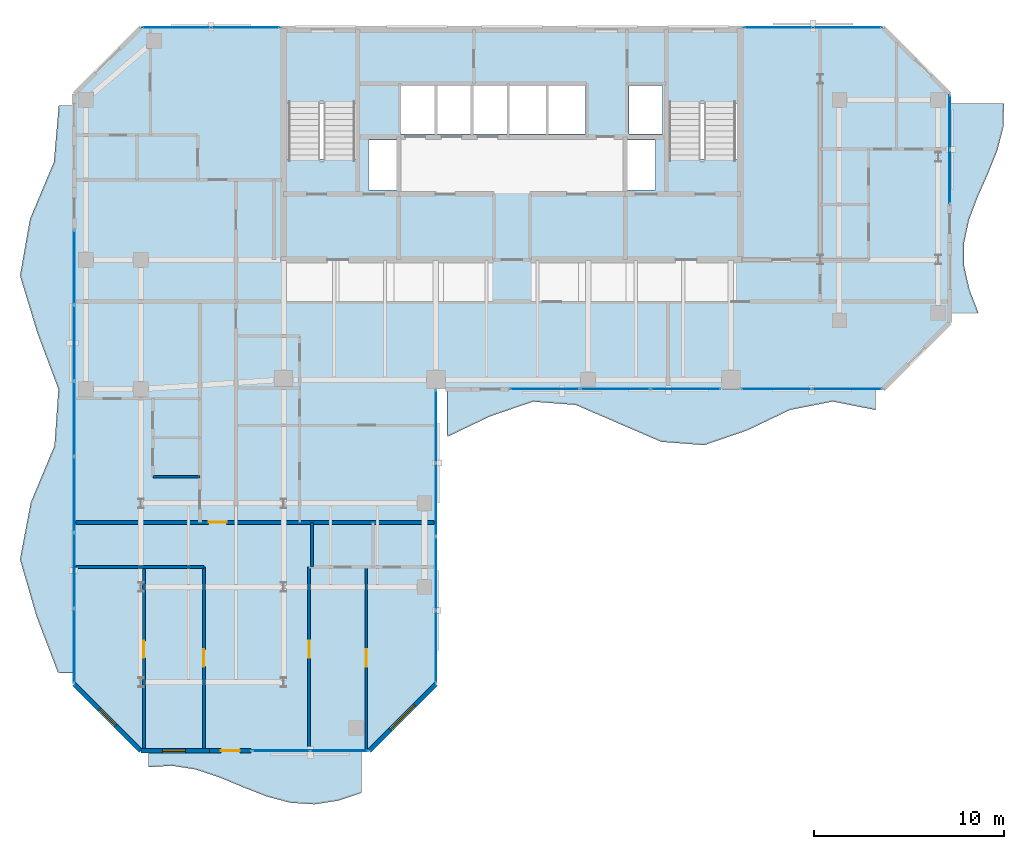
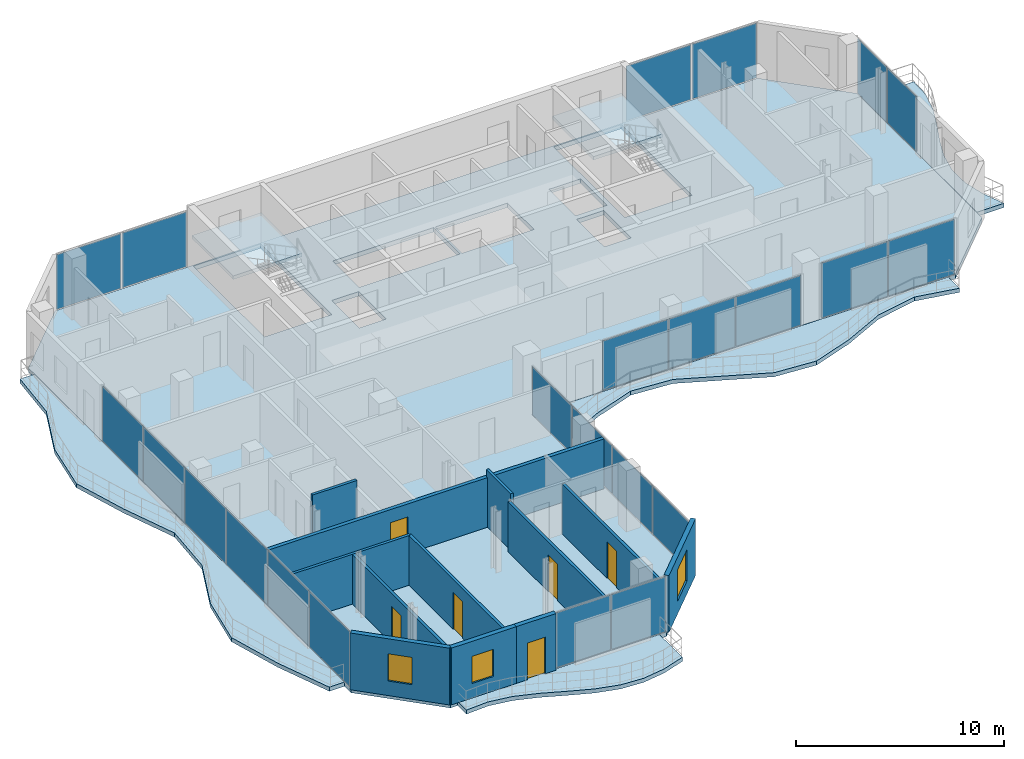
# One storey, part 17 of 23: 23 plates, 12 walls, 7 slabs, 6 doors, 3 windows, 9 openings, 10 elements without a shape of their own.
"""IFC4 building model written with IfcOpenShell, lengths in metres."""

from ifc_helpers import new_model, si_unit, direction, frame, frame_2d, origin, origin_2d, place, context, subcontext, project, spatial, polyline, rectangle, outline, extrude, material, layer, layer_set, type_object, element, fill, aggregate, save


model = new_model("IFC4")

# Units and contexts
model_context = context("Model", 3, precision=1e-05, world=origin(), true_north=direction((0.0, 1.0)))
body_context = subcontext(model_context, "Body", "Model", "MODEL_VIEW")
ifc_project = project(units=[si_unit("LENGTHUNIT", "METRE"), si_unit("AREAUNIT", "SQUARE_METRE"), si_unit("VOLUMEUNIT", "CUBIC_METRE"), si_unit("PLANEANGLEUNIT", "RADIAN"), si_unit("MASSUNIT", "GRAM", prefix="KILO")], contexts=[model_context])

# Site, building, storey
site_placement = place(None, origin())
site = spatial("IfcSite", under=ifc_project, at=site_placement, CompositionType="ELEMENT")
building_placement = place(site_placement, origin())
building = spatial("IfcBuilding", under=site, at=building_placement, Name="Catumbela Crestline Tower", CompositionType="ELEMENT")
storey_placement = place(building_placement, frame((0.0, 0.0, 168.6)))
storey = spatial("IfcBuildingStorey", under=building, at=storey_placement, Name="L43", CompositionType="ELEMENT", Elevation=168.6)

# Curtain wall, plates
ifc_material_1 = material(Name="Aluminium alloy AW-6060-T66", Category="aluminium")
ifc_layer_1 = layer(ifc_material_1, 0.18, Name="Aluminium alloy AW-6060-T66")
ifc_layer_set_1 = layer_set([ifc_layer_1], Name="Aluminium alloy AW-6060-T66")
curtain_wall_type = type_object("IfcCurtainWallType", Name="CWU-Z3", PredefinedType="USERDEFINED", material=ifc_layer_set_1)
curtain_wall_1_placement = place(storey_placement, origin())
curtain_wall_1 = element("IfcCurtainWall", 1, at=curtain_wall_1_placement, inside=storey, type_object=curtain_wall_type, Name="L43 Unitised Curtain Wall CW-L43-E0S2", ObjectType="UNITISED", PredefinedType="USERDEFINED")
ifc_material_2 = material(Name="Low-E laminated solar-control double glazing", Category="glass")
ifc_layer_2 = layer(ifc_material_2, 0.036, Name="Low-E laminated solar-control double glazing")
ifc_layer_set_2 = layer_set([ifc_layer_2], Name="Low-E laminated solar-control double glazing")
plate_type = type_object("IfcPlateType", Name="PNL-GLZ-Z3", PredefinedType="CURTAIN_PANEL", material=ifc_layer_set_2)
plate_1_placement = place(storey_placement, frame((15.8662, 5.0, 0.06), z_axis=(0.0, 0.0, 1.0), x_axis=(1.0, 0.0, 0.0)))
plate_1 = element("IfcPlate", 2, at=plate_1_placement, type_object=plate_type, Name="CWU-Z3 panel 1.1", PredefinedType="CURTAIN_PANEL", context=body_context, shape_type="SweptSolid", body=[
    extrude(rectangle(XDim=3.0025, YDim=0.034, at=origin_2d()), origin(), (0.0, 0.0, 1.0), 3.21),
])
plate_2_placement = place(storey_placement, frame((18.9338, 5.0, 0.06), z_axis=(0.0, 0.0, 1.0), x_axis=(1.0, 0.0, 0.0)))
plate_2 = element("IfcPlate", 3, at=plate_2_placement, type_object=plate_type, Name="CWU-Z3 panel 2.1", PredefinedType="CURTAIN_PANEL", context=body_context, shape_type="SweptSolid", body=[
    extrude(rectangle(XDim=3.0025, YDim=0.034, at=origin_2d()), origin(), (0.0, 0.0, 1.0), 3.21),
])
aggregate(curtain_wall_1, [plate_1, plate_2])

curtain_wall_2_placement = place(storey_placement, origin())
curtain_wall_2 = element("IfcCurtainWall", 4, at=curtain_wall_2_placement, inside=storey, type_object=curtain_wall_type, Name="L43 Unitised Curtain Wall CW-L43-E2S1", ObjectType="UNITISED", PredefinedType="USERDEFINED")
plate_3_placement = place(storey_placement, frame((24.0, 10.4538, 0.06), z_axis=(0.0, 0.0, 1.0), x_axis=(0.0, 1.0, 0.0)))
plate_3 = element("IfcPlate", 5, at=plate_3_placement, type_object=plate_type, Name="CWU-Z3 panel 1.1", PredefinedType="CURTAIN_PANEL", context=body_context, shape_type="SweptSolid", body=[
    extrude(rectangle(XDim=3.7775, YDim=0.034, at=origin_2d()), origin(), (0.0, 0.0, 1.0), 2.8),
])
plate_4_placement = place(storey_placement, frame((24.0, 14.3125, 0.06), z_axis=(0.0, 0.0, 1.0), x_axis=(0.0, 1.0, 0.0)))
plate_4 = element("IfcPlate", 6, at=plate_4_placement, type_object=plate_type, Name="CWU-Z3 panel 2.1", PredefinedType="CURTAIN_PANEL", context=body_context, shape_type="SweptSolid", body=[
    extrude(rectangle(XDim=3.81, YDim=0.034, at=origin_2d()), origin(), (0.0, 0.0, 1.0), 2.8),
])
plate_5_placement = place(storey_placement, frame((24.0, 18.1875, 0.06), z_axis=(0.0, 0.0, 1.0), x_axis=(0.0, 1.0, 0.0)))
plate_5 = element("IfcPlate", 7, at=plate_5_placement, type_object=plate_type, Name="CWU-Z3 panel 3.1", PredefinedType="CURTAIN_PANEL", context=body_context, shape_type="SweptSolid", body=[
    extrude(rectangle(XDim=3.81, YDim=0.034, at=origin_2d()), origin(), (0.0, 0.0, 1.0), 2.8),
])
plate_6_placement = place(storey_placement, frame((24.0, 22.0462, 0.06), z_axis=(0.0, 0.0, 1.0), x_axis=(0.0, 1.0, 0.0)))
plate_6 = element("IfcPlate", 8, at=plate_6_placement, type_object=plate_type, Name="CWU-Z3 panel 4.1", PredefinedType="CURTAIN_PANEL", context=body_context, shape_type="SweptSolid", body=[
    extrude(rectangle(XDim=3.7775, YDim=0.034, at=origin_2d()), origin(), (0.0, 0.0, 1.0), 2.8),
])
aggregate(curtain_wall_2, [plate_3, plate_4, plate_5, plate_6])

curtain_wall_3_placement = place(storey_placement, origin())
curtain_wall_3 = element("IfcCurtainWall", 9, at=curtain_wall_3_placement, inside=storey, type_object=curtain_wall_type, Name="L43 Unitised Curtain Wall CW-L43-E3S2", ObjectType="UNITISED", PredefinedType="USERDEFINED")
plate_7_placement = place(storey_placement, frame((29.7246, 24.0, 0.06), z_axis=(0.0, 0.0, 1.0), x_axis=(1.0, 0.0, 0.0)))
plate_7 = element("IfcPlate", 10, at=plate_7_placement, type_object=plate_type, Name="CWU-Z3 panel 1.1", PredefinedType="CURTAIN_PANEL", context=body_context, shape_type="SweptSolid", body=[
    extrude(rectangle(XDim=3.6192, YDim=0.034, at=origin_2d()), origin(), (0.0, 0.0, 1.0), 2.9),
])
plate_8_placement = place(storey_placement, frame((33.425, 24.0, 0.06), z_axis=(0.0, 0.0, 1.0), x_axis=(1.0, 0.0, 0.0)))
plate_8 = element("IfcPlate", 11, at=plate_8_placement, type_object=plate_type, Name="CWU-Z3 panel 2.1", PredefinedType="CURTAIN_PANEL", context=body_context, shape_type="SweptSolid", body=[
    extrude(rectangle(XDim=3.6517, YDim=0.034, at=origin_2d()), origin(), (0.0, 0.0, 1.0), 2.9),
])
plate_9_placement = place(storey_placement, frame((37.1254, 24.0, 0.06), z_axis=(0.0, 0.0, 1.0), x_axis=(1.0, 0.0, 0.0)))
plate_9 = element("IfcPlate", 12, at=plate_9_placement, type_object=plate_type, Name="CWU-Z3 panel 3.1", PredefinedType="CURTAIN_PANEL", context=body_context, shape_type="SweptSolid", body=[
    extrude(rectangle(XDim=3.6192, YDim=0.034, at=origin_2d()), origin(), (0.0, 0.0, 1.0), 2.9),
])
aggregate(curtain_wall_3, [plate_7, plate_8, plate_9])

curtain_wall_4_placement = place(storey_placement, origin())
curtain_wall_4 = element("IfcCurtainWall", 13, at=curtain_wall_4_placement, inside=storey, type_object=curtain_wall_type, Name="L43 Unitised Curtain Wall CW-L43-E3S3", ObjectType="UNITISED", PredefinedType="USERDEFINED")
plate_10_placement = place(storey_placement, frame((41.8912, 24.0, 0.06), z_axis=(0.0, 0.0, 1.0), x_axis=(1.0, 0.0, 0.0)))
plate_10 = element("IfcPlate", 14, at=plate_10_placement, type_object=plate_type, Name="CWU-Z3 panel 1.1", PredefinedType="CURTAIN_PANEL", context=body_context, shape_type="SweptSolid", body=[
    extrude(rectangle(XDim=3.6525, YDim=0.034, at=origin_2d()), origin(), (0.0, 0.0, 1.0), 3.21),
])
plate_11_placement = place(storey_placement, frame((45.6088, 24.0, 0.06), z_axis=(0.0, 0.0, 1.0), x_axis=(1.0, 0.0, 0.0)))
plate_11 = element("IfcPlate", 15, at=plate_11_placement, type_object=plate_type, Name="CWU-Z3 panel 2.1", PredefinedType="CURTAIN_PANEL", context=body_context, shape_type="SweptSolid", body=[
    extrude(rectangle(XDim=3.6525, YDim=0.034, at=origin_2d()), origin(), (0.0, 0.0, 1.0), 3.21),
])
aggregate(curtain_wall_4, [plate_10, plate_11])

curtain_wall_5_placement = place(storey_placement, origin())
curtain_wall_5 = element("IfcCurtainWall", 16, at=curtain_wall_5_placement, inside=storey, type_object=curtain_wall_type, Name="L43 Unitised Curtain Wall CW-L43-E5S2", ObjectType="UNITISED", PredefinedType="USERDEFINED")
plate_12_placement = place(storey_placement, frame((51.0, 35.1662, 0.06), z_axis=(0.0, 0.0, 1.0), x_axis=(0.0, 1.0, 0.0)))
plate_12 = element("IfcPlate", 17, at=plate_12_placement, type_object=plate_type, Name="CWU-Z3 panel 1.1", PredefinedType="CURTAIN_PANEL", context=body_context, shape_type="SweptSolid", body=[
    extrude(rectangle(XDim=2.8025, YDim=0.034, at=origin_2d()), origin(), (0.0, 0.0, 1.0), 3.21),
])
plate_13_placement = place(storey_placement, frame((51.0, 38.0338, 0.06), z_axis=(0.0, 0.0, 1.0), x_axis=(0.0, 1.0, 0.0)))
plate_13 = element("IfcPlate", 18, at=plate_13_placement, type_object=plate_type, Name="CWU-Z3 panel 2.1", PredefinedType="CURTAIN_PANEL", context=body_context, shape_type="SweptSolid", body=[
    extrude(rectangle(XDim=2.8025, YDim=0.034, at=origin_2d()), origin(), (0.0, 0.0, 1.0), 3.21),
])
aggregate(curtain_wall_5, [plate_12, plate_13])

curtain_wall_6_placement = place(storey_placement, origin())
curtain_wall_6 = element("IfcCurtainWall", 19, at=curtain_wall_6_placement, inside=storey, type_object=curtain_wall_type, Name="L43 Unitised Curtain Wall CW-L43-E7S1", ObjectType="UNITISED", PredefinedType="USERDEFINED")
plate_14_placement = place(storey_placement, frame((45.6438, 43.0, 0.06), z_axis=(0.0, 0.0, 1.0), x_axis=(-1.0, 0.0, 0.0)))
plate_14 = element("IfcPlate", 20, at=plate_14_placement, type_object=plate_type, Name="CWU-Z3 panel 1.1", PredefinedType="CURTAIN_PANEL", context=body_context, shape_type="SweptSolid", body=[
    extrude(rectangle(XDim=3.5825, YDim=0.034, at=origin_2d()), origin(), (0.0, 0.0, 1.0), 3.21),
])
plate_15_placement = place(storey_placement, frame((41.9963, 43.0, 0.06), z_axis=(0.0, 0.0, 1.0), x_axis=(-1.0, 0.0, 0.0)))
plate_15 = element("IfcPlate", 21, at=plate_15_placement, type_object=plate_type, Name="CWU-Z3 panel 2.1", PredefinedType="CURTAIN_PANEL", context=body_context, shape_type="SweptSolid", body=[
    extrude(rectangle(XDim=3.5825, YDim=0.034, at=origin_2d()), origin(), (0.0, 0.0, 1.0), 3.21),
])
aggregate(curtain_wall_6, [plate_14, plate_15])

curtain_wall_7_placement = place(storey_placement, origin())
curtain_wall_7 = element("IfcCurtainWall", 22, at=curtain_wall_7_placement, inside=storey, type_object=curtain_wall_type, Name="L43 Unitised Curtain Wall CW-L43-E7S2", ObjectType="UNITISED", PredefinedType="USERDEFINED")
plate_16_placement = place(storey_placement, frame((14.0038, 43.0, 0.06), z_axis=(0.0, 0.0, 1.0), x_axis=(-1.0, 0.0, 0.0)))
plate_16 = element("IfcPlate", 23, at=plate_16_placement, type_object=plate_type, Name="CWU-Z3 panel 1.1", PredefinedType="CURTAIN_PANEL", context=body_context, shape_type="SweptSolid", body=[
    extrude(rectangle(XDim=3.5825, YDim=0.034, at=origin_2d()), origin(), (0.0, 0.0, 1.0), 3.21),
])
plate_17_placement = place(storey_placement, frame((10.3562, 43.0, 0.06), z_axis=(0.0, 0.0, 1.0), x_axis=(-1.0, 0.0, 0.0)))
plate_17 = element("IfcPlate", 24, at=plate_17_placement, type_object=plate_type, Name="CWU-Z3 panel 2.1", PredefinedType="CURTAIN_PANEL", context=body_context, shape_type="SweptSolid", body=[
    extrude(rectangle(XDim=3.5825, YDim=0.034, at=origin_2d()), origin(), (0.0, 0.0, 1.0), 3.21),
])
aggregate(curtain_wall_7, [plate_16, plate_17])

curtain_wall_8_placement = place(storey_placement, origin())
curtain_wall_8 = element("IfcCurtainWall", 25, at=curtain_wall_8_placement, inside=storey, type_object=curtain_wall_type, Name="L43 Unitised Curtain Wall CW-L43-E9S2", ObjectType="UNITISED", PredefinedType="USERDEFINED")
plate_18_placement = place(storey_placement, frame((5.0, 30.3921, 0.06), z_axis=(0.0, 0.0, 1.0), x_axis=(0.0, -1.0, 0.0)))
plate_18 = element("IfcPlate", 26, at=plate_18_placement, type_object=plate_type, Name="CWU-Z3 panel 1.1", PredefinedType="CURTAIN_PANEL", context=body_context, shape_type="SweptSolid", body=[
    extrude(rectangle(XDim=3.8858, YDim=0.034, at=origin_2d()), origin(), (0.0, 0.0, 1.0), 3.21),
])
plate_19_placement = place(storey_placement, frame((5.0, 26.425, 0.06), z_axis=(0.0, 0.0, 1.0), x_axis=(0.0, -1.0, 0.0)))
plate_19 = element("IfcPlate", 27, at=plate_19_placement, type_object=plate_type, Name="CWU-Z3 panel 2.1", PredefinedType="CURTAIN_PANEL", context=body_context, shape_type="SweptSolid", body=[
    extrude(rectangle(XDim=3.9183, YDim=0.034, at=origin_2d()), origin(), (0.0, 0.0, 1.0), 3.21),
])
plate_20_placement = place(storey_placement, frame((5.0, 22.4417, 0.06), z_axis=(0.0, 0.0, 1.0), x_axis=(0.0, -1.0, 0.0)))
plate_20 = element("IfcPlate", 28, at=plate_20_placement, type_object=plate_type, Name="CWU-Z3 panel 3.1", PredefinedType="CURTAIN_PANEL", context=body_context, shape_type="SweptSolid", body=[
    extrude(rectangle(XDim=3.9183, YDim=0.034, at=origin_2d()), origin(), (0.0, 0.0, 1.0), 3.21),
])
plate_21_placement = place(storey_placement, frame((5.0, 18.4583, 0.06), z_axis=(0.0, 0.0, 1.0), x_axis=(0.0, -1.0, 0.0)))
plate_21 = element("IfcPlate", 29, at=plate_21_placement, type_object=plate_type, Name="CWU-Z3 panel 4.1", PredefinedType="CURTAIN_PANEL", context=body_context, shape_type="SweptSolid", body=[
    extrude(rectangle(XDim=3.9183, YDim=0.034, at=origin_2d()), origin(), (0.0, 0.0, 1.0), 3.21),
])
plate_22_placement = place(storey_placement, frame((5.0, 14.475, 0.06), z_axis=(0.0, 0.0, 1.0), x_axis=(0.0, -1.0, 0.0)))
plate_22 = element("IfcPlate", 30, at=plate_22_placement, type_object=plate_type, Name="CWU-Z3 panel 5.1", PredefinedType="CURTAIN_PANEL", context=body_context, shape_type="SweptSolid", body=[
    extrude(rectangle(XDim=3.9183, YDim=0.034, at=origin_2d()), origin(), (0.0, 0.0, 1.0), 3.21),
])
plate_23_placement = place(storey_placement, frame((5.0, 10.5079, 0.06), z_axis=(0.0, 0.0, 1.0), x_axis=(0.0, -1.0, 0.0)))
plate_23 = element("IfcPlate", 31, at=plate_23_placement, type_object=plate_type, Name="CWU-Z3 panel 6.1", PredefinedType="CURTAIN_PANEL", context=body_context, shape_type="SweptSolid", body=[
    extrude(rectangle(XDim=3.8858, YDim=0.034, at=origin_2d()), origin(), (0.0, 0.0, 1.0), 3.21),
])
aggregate(curtain_wall_8, [plate_18, plate_19, plate_20, plate_21, plate_22, plate_23])

# Stair, slab
ifc_material_3 = material(Name="Concrete C45/55", Category="concrete")
stair_type = type_object("IfcStairType", Name="ST-DLG", PredefinedType="HALF_TURN_STAIR", material=ifc_material_3)
stair_1_placement = place(storey_placement, origin())
stair_1 = element("IfcStair", 32, at=stair_1_placement, inside=storey, type_object=stair_type, Name="L43 West Core Pressurised Exit Stair ST-01", PredefinedType="HALF_TURN_STAIR")
ifc_layer_3 = layer(ifc_material_3, 0.2, Name="Concrete C45/55")
ifc_layer_set_3 = layer_set([ifc_layer_3], Name="Concrete C45/55")
slab_type_1 = type_object("IfcSlabType", Name="SL-LND", PredefinedType="LANDING", material=ifc_layer_set_3)
slab_1_placement = place(storey_placement, frame((0.0, 0.0, 1.6)))
slab_1 = element("IfcSlab", 33, at=slab_1_placement, type_object=slab_type_1, Name="ST-01 landing 1", PredefinedType="LANDING", context=body_context, shape_type="SweptSolid", body=[
    extrude(outline(polyline([(19.91, 39.02), (19.91, 42.96), (16.09, 42.96), (16.09, 39.02), (19.91, 39.02)])), origin(), (0.0, 0.0, 1.0), 0.2),
])
aggregate(stair_1, [slab_1])

stair_2_placement = place(storey_placement, origin())
stair_2 = element("IfcStair", 34, at=stair_2_placement, inside=storey, type_object=stair_type, Name="L43 East Core Pressurised Exit Stair ST-02", PredefinedType="HALF_TURN_STAIR")
slab_2_placement = place(storey_placement, frame((0.0, 0.0, 1.6)))
slab_2 = element("IfcSlab", 35, at=slab_2_placement, type_object=slab_type_1, Name="ST-02 landing 1", PredefinedType="LANDING", context=body_context, shape_type="SweptSolid", body=[
    extrude(outline(polyline([(39.91, 39.02), (39.91, 42.96), (36.09, 42.96), (36.09, 39.02), (39.91, 39.02)])), origin(), (0.0, 0.0, 1.0), 0.2),
])
aggregate(stair_2, [slab_2])

# Slabs
ifc_layer_4 = layer(ifc_material_3, 0.26, Name="Concrete C45/55")
ifc_layer_set_4 = layer_set([ifc_layer_4], Name="Concrete C45/55")
slab_type_2 = type_object("IfcSlabType", Name="SL-260", PredefinedType="FLOOR", material=ifc_layer_set_4)
slab_3_placement = place(storey_placement, frame((0.0, 0.0, -0.26)))
element("IfcSlab", 36, at=slab_3_placement, inside=storey, type_object=slab_type_2, Name="L43 Structural Floor Slab", PredefinedType="FLOOR", context=body_context, shape_type="SweptSolid", body=[
    extrude(outline(polyline([(8.5, 5.0), (20.5, 5.0), (24.0, 8.5), (24.0, 24.0), (47.5, 24.0), (51.0, 27.5), (51.0, 39.5), (47.5, 43.0), (8.5, 43.0), (5.0, 39.5), (5.0, 8.5), (8.5, 5.0)]), holes=[polyline([(16.13, 36.08), (19.87, 36.08), (19.87, 42.92), (16.13, 42.92), (16.13, 36.08)]), polyline([(36.13, 36.08), (39.87, 36.08), (39.87, 42.92), (36.13, 42.92), (36.13, 36.08)]), polyline([(22.15, 37.4), (27.75, 37.4), (27.75, 39.95), (22.15, 39.95), (22.15, 37.4)]), polyline([(27.85, 37.4), (31.85, 37.4), (31.85, 39.95), (27.85, 39.95), (27.85, 37.4)]), polyline([(20.45, 34.45), (21.95, 34.45), (21.95, 37.1), (20.45, 37.1), (20.45, 34.45)]), polyline([(34.05, 34.45), (35.55, 34.45), (35.55, 37.1), (34.05, 37.1), (34.05, 34.45)]), polyline([(34.15, 37.4), (35.9, 37.4), (35.9, 39.95), (34.15, 39.95), (34.15, 37.4)])]), origin(), (0.0, 0.0, 1.0), 0.26),
])
ifc_layer_5 = layer(ifc_material_3, 0.24, Name="Concrete C45/55")
ifc_layer_set_5 = layer_set([ifc_layer_5], Name="Concrete C45/55")
slab_type_3 = type_object("IfcSlabType", Name="SB-240W", PredefinedType="USERDEFINED", material=ifc_layer_set_5)
slab_4_placement = place(storey_placement, frame((0.0, 0.0, -0.24)))
element("IfcSlab", 37, at=slab_4_placement, inside=storey, type_object=slab_type_3, Name="L43 Cantilevered Wave Balcony Slab SPINE-S", ObjectType="BALCONY", PredefinedType="USERDEFINED", context=body_context, shape_type="SweptSolid", body=[
    extrude(outline(polyline([(24.6, 21.4947), (26.85, 22.5708), (29.1, 23.3413), (31.35, 23.1708), (33.6, 22.2), (35.85, 21.2292), (38.1, 21.0587), (40.35, 21.8292), (42.6, 22.9053), (44.85, 23.35), (47.1, 22.9053), (47.1, 23.99), (24.6, 23.99), (24.6, 21.4947)])), origin(), (0.0, 0.0, 1.0), 0.24),
])
slab_5_placement = place(storey_placement, frame((0.0, 0.0, -0.24)))
element("IfcSlab", 38, at=slab_5_placement, inside=storey, type_object=slab_type_3, Name="L43 Cantilevered Wave Balcony Slab SPINE-E", ObjectType="BALCONY", PredefinedType="USERDEFINED", context=body_context, shape_type="SweptSolid", body=[
    extrude(outline(polyline([(51.01, 28.0), (52.5102, 28.0), (52.0377, 29.2222), (51.7606, 30.4444), (51.7501, 31.6667), (52.0088, 32.8889), (52.4704, 34.1111), (53.0165, 35.3333), (53.5071, 36.5556), (53.8164, 37.7778), (53.85, 39.0), (51.01, 39.0), (51.01, 28.0)])), origin(), (0.0, 0.0, 1.0), 0.24),
])
slab_6_placement = place(storey_placement, frame((0.0, 0.0, -0.24)))
element("IfcSlab", 39, at=slab_6_placement, inside=storey, type_object=slab_type_3, Name="L43 Cantilevered Wave Balcony Slab WING-S", ObjectType="BALCONY", PredefinedType="USERDEFINED", context=body_context, shape_type="SweptSolid", body=[
    extrude(outline(polyline([(8.9, 4.1398), (10.1444, 4.2124), (11.3889, 4.016), (12.6333, 3.6029), (13.8778, 3.0828), (15.1222, 2.5938), (16.3667, 2.2658), (17.6111, 2.186), (18.8556, 2.3755), (20.1, 2.784), (20.1, 4.99), (8.9, 4.99), (8.9, 4.1398)])), origin(), (0.0, 0.0, 1.0), 0.24),
])
slab_7_placement = place(storey_placement, frame((0.0, 0.0, -0.24)))
element("IfcSlab", 40, at=slab_7_placement, inside=storey, type_object=slab_type_3, Name="L43 Cantilevered Wave Balcony Slab WEST", ObjectType="BALCONY", PredefinedType="USERDEFINED", context=body_context, shape_type="SweptSolid", body=[
    extrude(outline(polyline([(4.99, 38.9), (4.1874, 38.9), (3.9279, 35.92), (2.6741, 32.94), (2.15, 29.96), (3.0531, 26.98), (4.1682, 24.0), (3.9607, 21.02), (2.714, 18.04), (2.15, 15.06), (3.0084, 12.08), (4.1473, 9.1), (4.99, 9.1), (4.99, 38.9)])), origin(), (0.0, 0.0, 1.0), 0.24),
])

# Wall, opening, door
ifc_material_4 = material(Name="Angolan grey-ochre granite", Category="masonry")
ifc_layer_6 = layer(ifc_material_4, 0.25, Name="Angolan grey-ochre granite")
ifc_layer_set_6 = layer_set([ifc_layer_6], Name="Angolan grey-ochre granite")
wall_type_1 = type_object("IfcWallType", Name="WE-250", PredefinedType="STANDARD", material=ifc_layer_set_6)
wall_1_placement = place(storey_placement, frame((12.1, 5.0, 0.0), z_axis=(0.0, 0.0, 1.0), x_axis=(1.0, 0.0, 0.0)))
wall_1 = element("IfcWall", 41, at=wall_1_placement, inside=storey, type_object=wall_type_1, Name="L43 Exterior Threshold Portal Wall DR-L43-WBAL-3", PredefinedType="STANDARD", context=body_context, shape_type="SweptSolid", body=[
    extrude(rectangle(XDim=2.2, YDim=0.25, at=frame_2d((1.1, 0.0))), origin(), (0.0, 0.0, 1.0), 3.33),
])
opening_1_placement = place(wall_1_placement, frame((0.6, 0.0, 0.0)))
opening_1 = element("IfcOpeningElement", 42, at=opening_1_placement, cuts=wall_1, Name="Opening DB-L43-3", PredefinedType="OPENING", context=body_context, shape_type="SweptSolid", body=[
    extrude(rectangle(XDim=1.0, YDim=2.15, at=frame_2d((0.5, 1.075))), frame((0.0, 0.135, 0.0), z_axis=(0.0, -1.0, 0.0), x_axis=(1.0, 0.0, 0.0)), (0.0, 0.0, 1.0), 0.27),
])
door_type_1 = type_object("IfcDoorType", Name="DB-1000", OperationType="NOTDEFINED", PredefinedType="DOOR", material=ifc_material_1)
door_1_placement = place(opening_1_placement, origin())
door_1 = element("IfcDoor", 43, at=door_1_placement, inside=storey, type_object=door_type_1, Name="L43 Wave Balcony Terrace Door 3", OperationType="SINGLE_SWING_LEFT", OverallHeight=2.15, OverallWidth=1.0, PredefinedType="DOOR", context=body_context, shape_type="SweptSolid", body=[
    extrude(rectangle(XDim=1.0, YDim=2.15, at=frame_2d((0.5, 1.075))), frame((0.0, 0.025, 0.0), z_axis=(0.0, -1.0, 0.0), x_axis=(1.0, 0.0, 0.0)), (0.0, 0.0, 1.0), 0.05),
])
fill(opening_1, door_1)

# Wall, opening, window
wall_2_placement = place(storey_placement, frame((8.5, 5.0, 0.0), z_axis=(0.0, 0.0, 1.0), x_axis=(1.0, 0.0, 0.0)))
wall_2 = element("IfcWall", 44, at=wall_2_placement, inside=storey, type_object=wall_type_1, Name="L43 Granite Punched Window Wall 0-1", PredefinedType="STANDARD", context=body_context, shape_type="SweptSolid", body=[
    extrude(rectangle(XDim=3.6, YDim=0.25, at=frame_2d((1.8, 0.0))), origin(), (0.0, 0.0, 1.0), 3.33),
])
opening_2_placement = place(wall_2_placement, frame((1.135, 0.0, 0.85)))
opening_2 = element("IfcOpeningElement", 45, at=opening_2_placement, cuts=wall_2, Name="Opening WN-02", PredefinedType="OPENING", context=body_context, shape_type="SweptSolid", body=[
    extrude(rectangle(XDim=1.2, YDim=1.6, at=frame_2d((0.6, 0.8))), frame((0.0, 0.135, 0.0), z_axis=(0.0, -1.0, 0.0), x_axis=(1.0, 0.0, 0.0)), (0.0, 0.0, 1.0), 0.27),
])
window_type_1 = type_object("IfcWindowType", Name="WO-1200", PartitioningType="SINGLE_PANEL", PredefinedType="WINDOW", material=ifc_material_2)
window_1_placement = place(opening_2_placement, origin())
window_1 = element("IfcWindow", 46, at=window_1_placement, inside=storey, type_object=window_type_1, Name="L43 Facade Vision Window 256", OverallHeight=1.6, OverallWidth=1.2, PartitioningType="SINGLE_PANEL", PredefinedType="WINDOW", context=body_context, shape_type="SweptSolid", body=[
    extrude(rectangle(XDim=1.2, YDim=1.6, at=frame_2d((0.6, 0.8))), frame((0.0, 0.03, 0.0), z_axis=(0.0, -1.0, 0.0), x_axis=(1.0, 0.0, 0.0)), (0.0, 0.0, 1.0), 0.06),
])
fill(opening_2, window_1)

wall_3_placement = place(storey_placement, frame((20.5, 5.0, 0.0), z_axis=(0.0, 0.0, 1.0), x_axis=(0.707106781187, 0.707106781187, 0.0)))
wall_3 = element("IfcWall", 47, at=wall_3_placement, inside=storey, type_object=wall_type_1, Name="L43 Granite Punched Window Wall 1-1", PredefinedType="STANDARD", context=body_context, shape_type="SweptSolid", body=[
    extrude(rectangle(XDim=4.9497, YDim=0.25, at=frame_2d((2.4748, 0.0))), origin(), (0.0, 0.0, 1.0), 3.33),
])
opening_3_placement = place(wall_3_placement, frame((1.5749, 0.0, 0.75)))
opening_3 = element("IfcOpeningElement", 48, at=opening_3_placement, cuts=wall_3, Name="Opening WN-01", PredefinedType="OPENING", context=body_context, shape_type="SweptSolid", body=[
    extrude(rectangle(XDim=1.8, YDim=1.85, at=frame_2d((0.9, 0.925))), frame((0.0, 0.135, 0.0), z_axis=(0.0, -1.0, 0.0), x_axis=(1.0, 0.0, 0.0)), (0.0, 0.0, 1.0), 0.27),
])
window_type_2 = type_object("IfcWindowType", Name="WF-1800", PartitioningType="SINGLE_PANEL", PredefinedType="WINDOW", material=ifc_material_2)
window_2_placement = place(opening_3_placement, origin())
window_2 = element("IfcWindow", 49, at=window_2_placement, inside=storey, type_object=window_type_2, Name="L43 Facade Vision Window 257", OverallHeight=1.85, OverallWidth=1.8, PartitioningType="SINGLE_PANEL", PredefinedType="WINDOW", context=body_context, shape_type="SweptSolid", body=[
    extrude(rectangle(XDim=1.8, YDim=1.85, at=frame_2d((0.9, 0.925))), frame((0.0, 0.03, 0.0), z_axis=(0.0, -1.0, 0.0), x_axis=(1.0, 0.0, 0.0)), (0.0, 0.0, 1.0), 0.06),
])
fill(opening_3, window_2)

wall_4_placement = place(storey_placement, frame((5.0, 8.5, 0.0), z_axis=(0.0, 0.0, 1.0), x_axis=(0.707106781187, -0.707106781187, 0.0)))
wall_4 = element("IfcWall", 50, at=wall_4_placement, inside=storey, type_object=wall_type_1, Name="L43 Granite Punched Window Wall 10-1", PredefinedType="STANDARD", context=body_context, shape_type="SweptSolid", body=[
    extrude(rectangle(XDim=4.9497, YDim=0.25, at=frame_2d((2.4748, 0.0))), origin(), (0.0, 0.0, 1.0), 3.33),
])
opening_4_placement = place(wall_4_placement, frame((1.8748, 0.0, 0.85)))
opening_4 = element("IfcOpeningElement", 51, at=opening_4_placement, cuts=wall_4, Name="Opening WN-02", PredefinedType="OPENING", context=body_context, shape_type="SweptSolid", body=[
    extrude(rectangle(XDim=1.2, YDim=1.6, at=frame_2d((0.6, 0.8))), frame((0.0, 0.135, 0.0), z_axis=(0.0, -1.0, 0.0), x_axis=(1.0, 0.0, 0.0)), (0.0, 0.0, 1.0), 0.27),
])
window_3_placement = place(opening_4_placement, origin())
window_3 = element("IfcWindow", 52, at=window_3_placement, inside=storey, type_object=window_type_1, Name="L43 Facade Vision Window 264", OverallHeight=1.6, OverallWidth=1.2, PartitioningType="SINGLE_PANEL", PredefinedType="WINDOW", context=body_context, shape_type="SweptSolid", body=[
    extrude(rectangle(XDim=1.2, YDim=1.6, at=frame_2d((0.6, 0.8))), frame((0.0, 0.03, 0.0), z_axis=(0.0, -1.0, 0.0), x_axis=(1.0, 0.0, 0.0)), (0.0, 0.0, 1.0), 0.06),
])
fill(opening_4, window_3)

# Walls
ifc_material_5 = material(Name="Acoustic gypsum and mineral-wool partition")
ifc_layer_7 = layer(ifc_material_5, 0.15, Name="Acoustic gypsum and mineral-wool partition")
ifc_layer_set_7 = layer_set([ifc_layer_7], Name="Acoustic gypsum and mineral-wool partition")
wall_type_2 = type_object("IfcWallType", Name="WP-150", PredefinedType="PARTITIONING", material=ifc_layer_set_7)
wall_5_placement = place(storey_placement, frame((9.13, 19.396, 0.0), z_axis=(0.0, 0.0, 1.0), x_axis=(1.0, 0.0, 0.0)))
element("IfcWall", 53, at=wall_5_placement, inside=storey, type_object=wall_type_2, Name="L43 Interior Partition PW-L43-WL1-KBS", PredefinedType="PARTITIONING", context=body_context, shape_type="SweptSolid", body=[
    extrude(rectangle(XDim=2.47, YDim=0.15, at=frame_2d((1.235, 0.0))), origin(), (0.0, 0.0, 1.0), 3.33),
])
wall_6_placement = place(storey_placement, frame((17.5, 14.65, 0.0), z_axis=(0.0, 0.0, 1.0), x_axis=(0.0, 1.0, 0.0)))
element("IfcWall", 54, at=wall_6_placement, inside=storey, type_object=wall_type_2, Name="L43 Interior Partition PW-L43-SH1-KBW", PredefinedType="PARTITIONING", context=body_context, shape_type="SweptSolid", body=[
    extrude(rectangle(XDim=2.35, YDim=0.15, at=frame_2d((1.175, 0.0))), origin(), (0.0, 0.0, 1.0), 3.33),
])
wall_7_placement = place(storey_placement, frame((5.1, 14.65, 0.0), z_axis=(0.0, 0.0, 1.0), x_axis=(1.0, 0.0, 0.0)))
element("IfcWall", 55, at=wall_7_placement, inside=storey, type_object=wall_type_2, Name="L43 Interior Partition PW-L43-SH1-BDLH", PredefinedType="PARTITIONING", context=body_context, shape_type="SweptSolid", body=[
    extrude(rectangle(XDim=6.71, YDim=0.15, at=frame_2d((3.355, 0.0))), origin(), (0.0, 0.0, 1.0), 2.92),
])

# Wall, opening, door
wall_8_placement = place(storey_placement, frame((8.66, 5.1, 0.0), z_axis=(0.0, 0.0, 1.0), x_axis=(0.0, 1.0, 0.0)))
wall_8 = element("IfcWall", 56, at=wall_8_placement, inside=storey, type_object=wall_type_2, Name="L43 Interior Partition PW-L43-SH1-BDL", PredefinedType="PARTITIONING", context=body_context, shape_type="SweptSolid", body=[
    extrude(rectangle(XDim=9.55, YDim=0.15, at=frame_2d((4.775, 0.0))), origin(), (0.0, 0.0, 1.0), 2.92),
])
opening_5_placement = place(wall_8_placement, frame((4.7789, 0.0, 0.0)))
opening_5 = element("IfcOpeningElement", 57, at=opening_5_placement, cuts=wall_8, Name="Opening DI-090", PredefinedType="OPENING", context=body_context, shape_type="SweptSolid", body=[
    extrude(rectangle(XDim=0.9, YDim=2.15, at=frame_2d((0.45, 1.075))), frame((0.0, 0.085, 0.0), z_axis=(0.0, -1.0, 0.0), x_axis=(1.0, 0.0, 0.0)), (0.0, 0.0, 1.0), 0.17),
])
door_type_2 = type_object("IfcDoorType", Name="DI-090", OperationType="NOTDEFINED", PredefinedType="DOOR", material=ifc_material_1)
door_2_placement = place(opening_5_placement, origin())
door_2 = element("IfcDoor", 58, at=door_2_placement, inside=storey, type_object=door_type_2, Name="L43 Interior Door DR-L43-SH1-BD1", OperationType="SINGLE_SWING_LEFT", OverallHeight=2.15, OverallWidth=0.9, PredefinedType="DOOR", context=body_context, shape_type="SweptSolid", body=[
    extrude(rectangle(XDim=0.9, YDim=2.15, at=frame_2d((0.45, 1.075))), frame((0.0, 0.025, 0.0), z_axis=(0.0, -1.0, 0.0), x_axis=(1.0, 0.0, 0.0)), (0.0, 0.0, 1.0), 0.05),
])
fill(opening_5, door_2)

wall_9_placement = place(storey_placement, frame((20.34, 5.1, 0.0), z_axis=(0.0, 0.0, 1.0), x_axis=(0.0, 1.0, 0.0)))
wall_9 = element("IfcWall", 59, at=wall_9_placement, inside=storey, type_object=wall_type_2, Name="L43 Interior Partition PW-L43-SH1-BDR", PredefinedType="PARTITIONING", context=body_context, shape_type="SweptSolid", body=[
    extrude(rectangle(XDim=9.55, YDim=0.15, at=frame_2d((4.775, 0.0))), origin(), (0.0, 0.0, 1.0), 2.92),
])
opening_6_placement = place(wall_9_placement, frame((4.325, 0.0, 0.0)))
opening_6 = element("IfcOpeningElement", 60, at=opening_6_placement, cuts=wall_9, Name="Opening DI-090", PredefinedType="OPENING", context=body_context, shape_type="SweptSolid", body=[
    extrude(rectangle(XDim=0.9, YDim=2.15, at=frame_2d((0.45, 1.075))), frame((0.0, 0.085, 0.0), z_axis=(0.0, -1.0, 0.0), x_axis=(1.0, 0.0, 0.0)), (0.0, 0.0, 1.0), 0.17),
])
door_3_placement = place(opening_6_placement, origin())
door_3 = element("IfcDoor", 61, at=door_3_placement, inside=storey, type_object=door_type_2, Name="L43 Interior Door DR-L43-SH1-BD2", OperationType="SINGLE_SWING_RIGHT", OverallHeight=2.15, OverallWidth=0.9, PredefinedType="DOOR", context=body_context, shape_type="SweptSolid", body=[
    extrude(rectangle(XDim=0.9, YDim=2.15, at=frame_2d((0.45, 1.075))), frame((0.0, 0.025, 0.0), z_axis=(0.0, -1.0, 0.0), x_axis=(1.0, 0.0, 0.0)), (0.0, 0.0, 1.0), 0.05),
])
fill(opening_6, door_3)

wall_10_placement = place(storey_placement, frame((17.34, 5.1, 0.0), z_axis=(0.0, 0.0, 1.0), x_axis=(0.0, 1.0, 0.0)))
wall_10 = element("IfcWall", 62, at=wall_10_placement, inside=storey, type_object=wall_type_2, Name="L43 Interior Partition PW-L43-SH1-STW", PredefinedType="PARTITIONING", context=body_context, shape_type="SweptSolid", body=[
    extrude(rectangle(XDim=9.55, YDim=0.15, at=frame_2d((4.775, 0.0))), origin(), (0.0, 0.0, 1.0), 2.92),
])
opening_7_placement = place(wall_10_placement, frame((4.7789, 0.0, 0.0)))
opening_7 = element("IfcOpeningElement", 63, at=opening_7_placement, cuts=wall_10, Name="Opening DI-090", PredefinedType="OPENING", context=body_context, shape_type="SweptSolid", body=[
    extrude(rectangle(XDim=0.9, YDim=2.15, at=frame_2d((0.45, 1.075))), frame((0.0, 0.085, 0.0), z_axis=(0.0, -1.0, 0.0), x_axis=(1.0, 0.0, 0.0)), (0.0, 0.0, 1.0), 0.17),
])
door_4_placement = place(opening_7_placement, origin())
door_4 = element("IfcDoor", 64, at=door_4_placement, inside=storey, type_object=door_type_2, Name="L43 Interior Door DR-L43-SH1-STDY", OperationType="SINGLE_SWING_RIGHT", OverallHeight=2.15, OverallWidth=0.9, PredefinedType="DOOR", context=body_context, shape_type="SweptSolid", body=[
    extrude(rectangle(XDim=0.9, YDim=2.15, at=frame_2d((0.45, 1.075))), frame((0.0, 0.025, 0.0), z_axis=(0.0, -1.0, 0.0), x_axis=(1.0, 0.0, 0.0)), (0.0, 0.0, 1.0), 0.05),
])
fill(opening_7, door_4)

wall_11_placement = place(storey_placement, frame((11.81, 5.1, 0.0), z_axis=(0.0, 0.0, 1.0), x_axis=(0.0, 1.0, 0.0)))
wall_11 = element("IfcWall", 65, at=wall_11_placement, inside=storey, type_object=wall_type_2, Name="L43 Interior Partition PW-L43-SH1-DNW", PredefinedType="PARTITIONING", context=body_context, shape_type="SweptSolid", body=[
    extrude(rectangle(XDim=9.55, YDim=0.15, at=frame_2d((4.775, 0.0))), origin(), (0.0, 0.0, 1.0), 2.92),
])
opening_8_placement = place(wall_11_placement, frame((4.325, 0.0, 0.0)))
opening_8 = element("IfcOpeningElement", 66, at=opening_8_placement, cuts=wall_11, Name="Opening DI-090", PredefinedType="OPENING", context=body_context, shape_type="SweptSolid", body=[
    extrude(rectangle(XDim=0.9, YDim=2.15, at=frame_2d((0.45, 1.075))), frame((0.0, 0.085, 0.0), z_axis=(0.0, -1.0, 0.0), x_axis=(1.0, 0.0, 0.0)), (0.0, 0.0, 1.0), 0.17),
])
door_5_placement = place(opening_8_placement, origin())
door_5 = element("IfcDoor", 67, at=door_5_placement, inside=storey, type_object=door_type_2, Name="L43 Interior Door DR-L43-SH1-FDIN", OperationType="SINGLE_SWING_LEFT", OverallHeight=2.15, OverallWidth=0.9, PredefinedType="DOOR", context=body_context, shape_type="SweptSolid", body=[
    extrude(rectangle(XDim=0.9, YDim=2.15, at=frame_2d((0.45, 1.075))), frame((0.0, 0.025, 0.0), z_axis=(0.0, -1.0, 0.0), x_axis=(1.0, 0.0, 0.0)), (0.0, 0.0, 1.0), 0.05),
])
fill(opening_8, door_5)

ifc_layer_8 = layer(ifc_material_5, 0.2, Name="Acoustic gypsum and mineral-wool partition")
ifc_layer_set_8 = layer_set([ifc_layer_8], Name="Acoustic gypsum and mineral-wool partition")
wall_type_3 = type_object("IfcWallType", Name="WY-200", PredefinedType="PARTITIONING", material=ifc_layer_set_8)
wall_12_placement = place(storey_placement, frame((5.1, 17.0, 0.0), z_axis=(0.0, 0.0, 1.0), x_axis=(1.0, 0.0, 0.0)))
wall_12 = element("IfcWall", 68, at=wall_12_placement, inside=storey, type_object=wall_type_3, Name="L43 Interior Partition PW-L43-SH-WL", PredefinedType="PARTITIONING", context=body_context, shape_type="SweptSolid", body=[
    extrude(rectangle(XDim=18.8, YDim=0.2, at=frame_2d((9.4, 0.0))), origin(), (0.0, 0.0, 1.0), 2.92),
])
opening_9_placement = place(wall_12_placement, frame((6.962, 0.0, 0.0)))
opening_9 = element("IfcOpeningElement", 69, at=opening_9_placement, cuts=wall_12, Name="Opening DF6-095", PredefinedType="OPENING", context=body_context, shape_type="SweptSolid", body=[
    extrude(rectangle(XDim=0.95, YDim=2.15, at=frame_2d((0.475, 1.075))), frame((0.0, 0.11, 0.0), z_axis=(0.0, -1.0, 0.0), x_axis=(1.0, 0.0, 0.0)), (0.0, 0.0, 1.0), 0.22),
])
door_type_3 = type_object("IfcDoorType", Name="DF6-095", OperationType="NOTDEFINED", PredefinedType="DOOR", material=ifc_material_1)
door_6_placement = place(opening_9_placement, origin())
door_6 = element("IfcDoor", 70, at=door_6_placement, inside=storey, type_object=door_type_3, Name="L43 Interior Door DR-L43-SH1-ENT", OperationType="SINGLE_SWING_LEFT", OverallHeight=2.15, OverallWidth=0.95, PredefinedType="DOOR", context=body_context, shape_type="SweptSolid", body=[
    extrude(rectangle(XDim=0.95, YDim=2.15, at=frame_2d((0.475, 1.075))), frame((0.0, 0.025, 0.0), z_axis=(0.0, -1.0, 0.0), x_axis=(1.0, 0.0, 0.0)), (0.0, 0.0, 1.0), 0.05),
])
fill(opening_9, door_6)

save(model, "model.ifc")
